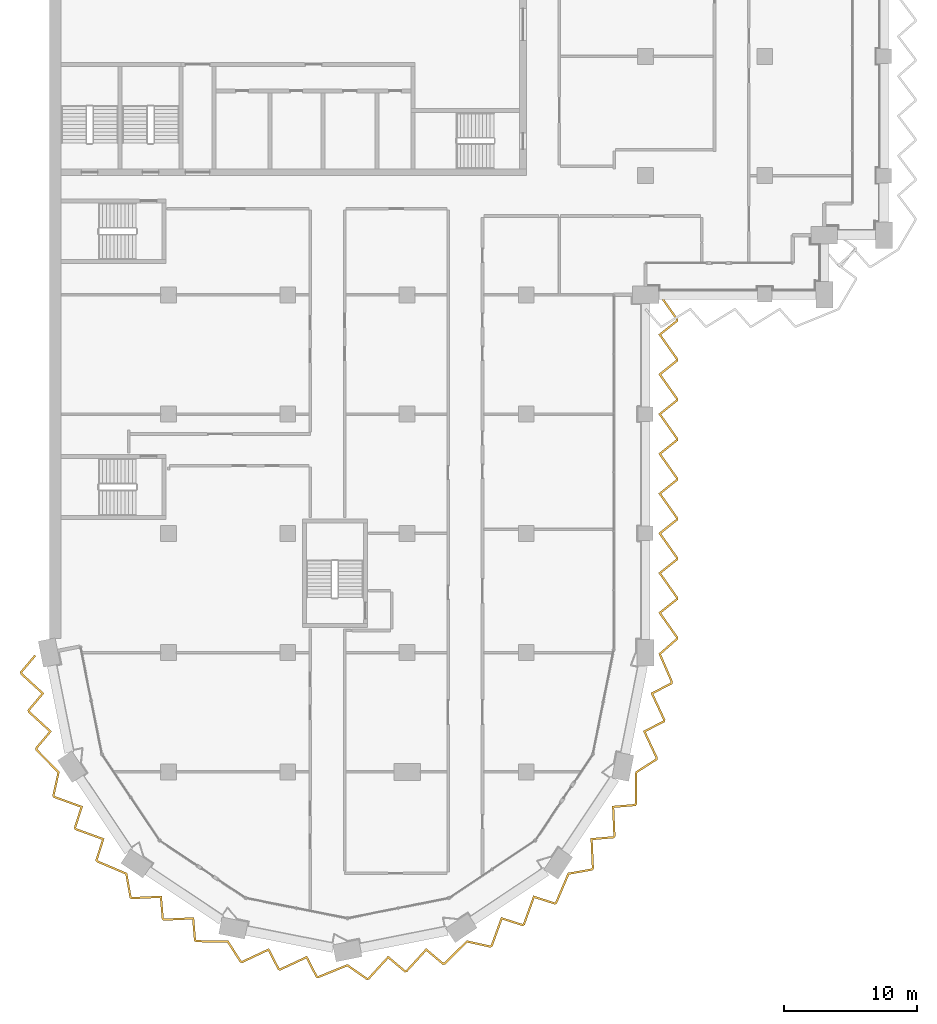
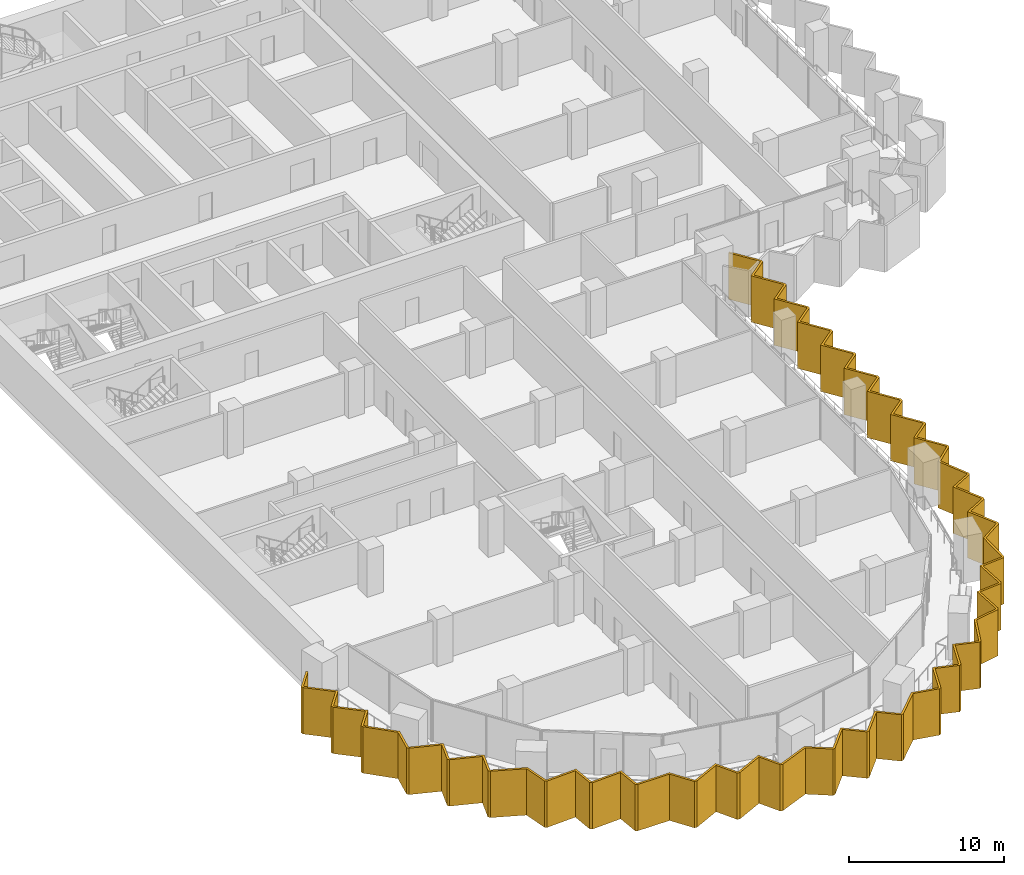
# One storey, part 19 of 23: 1 shading device.
"""IFC4 building model written with IfcOpenShell, lengths in metres."""

from ifc_helpers import new_model, si_unit, direction, frame, origin, place, context, subcontext, project, spatial, polyline, outline, extrude, material, layer, layer_set, type_object, element, save


model = new_model("IFC4")

# Units and contexts
model_context = context("Model", 3, precision=1e-05, world=origin(), true_north=direction((0.0, 1.0)))
body_context = subcontext(model_context, "Body", "Model", "MODEL_VIEW")
ifc_project = project(units=[si_unit("LENGTHUNIT", "METRE"), si_unit("AREAUNIT", "SQUARE_METRE"), si_unit("VOLUMEUNIT", "CUBIC_METRE"), si_unit("PLANEANGLEUNIT", "RADIAN"), si_unit("MASSUNIT", "GRAM", prefix="KILO")], contexts=[model_context])

# Site, building, storey
site_placement = place(None, origin())
site = spatial("IfcSite", under=ifc_project, at=site_placement, CompositionType="ELEMENT")
building_placement = place(site_placement, origin())
building = spatial("IfcBuilding", under=site, at=building_placement, Name="Hunhe Ridgeline Campus", CompositionType="ELEMENT")
storey_placement = place(building_placement, frame((0.0, 0.0, 148.60009765625)))
storey = spatial("IfcBuildingStorey", under=building, at=storey_placement, Name="L37", CompositionType="ELEMENT", Elevation=148.60009765625)

# Shading device
ifc_material = material(Name="Concrete C50", Category="concrete")
ifc_layer = layer(ifc_material, 0.14990234375)
ifc_layer_set = layer_set([ifc_layer], Name="Sawtooth concrete fin 150 Concrete C50")
shading_device_type = type_object("IfcShadingDeviceType", Name="Sawtooth concrete fin 150 Concrete C50", PredefinedType="USERDEFINED", material=ifc_layer_set)
shading_device_placement = place(storey_placement, frame((0.0, 0.0, -0.9501953125)))
element("IfcShadingDevice", 1, at=shading_device_placement, inside=storey, type_object=shading_device_type, Name="Concrete fin screen 1", ObjectType="FIN", PredefinedType="USERDEFINED", context=body_context, shape_type="SweptSolid", body=[
    extrude(outline(polyline([(-0.9970703125, 26.741943359375), (-1.111572265625, 26.838623046875), (-2.207763671875, 25.54052734375), (-2.17236328125, 25.36328125), (-0.587158203125, 23.91357421875), (-1.63671875, 22.67041015625), (-1.6015625, 22.4931640625), (-0.016357421875, 21.043212890625), (-1.06591796875, 19.80029296875), (-1.031005859375, 19.625244140625), (0.6181640625, 17.946533203125), (0.23388671875, 16.19287109375), (0.33203125, 16.046142578125), (2.351318359375, 15.313232421875), (1.857421875, 13.76318359375), (1.957763671875, 13.613037109375), (3.97705078125, 12.880126953125), (3.483154296875, 11.330078125), (3.582275390625, 11.181640625), (5.748291015625, 10.261962890625), (6.064453125, 8.49462890625), (6.211181640625, 8.396728515625), (8.357421875, 8.492431640625), (8.494140625, 6.871337890625), (8.64453125, 6.770751953125), (10.79052734375, 6.866455078125), (10.927490234375, 5.245361328125), (11.07568359375, 5.146240234375), (13.428955078125, 5.12548828125), (14.397216796875, 3.61376953125), (14.5703125, 3.579345703125), (16.5166015625, 4.489013671875), (17.26318359375, 3.043701171875), (17.4404296875, 3.00830078125), (19.38671875, 3.918212890625), (20.13330078125, 2.47265625), (20.30859375, 2.43798828125), (22.490478515625, 3.319091796875), (23.963623046875, 2.293212890625), (24.13671875, 2.32763671875), (25.58642578125, 3.912841796875), (26.82958984375, 2.86328125), (27.0068359375, 2.8984375), (28.456787109375, 4.483642578125), (29.69970703125, 3.43408203125), (29.874755859375, 3.468994140625), (31.553466796875, 5.1181640625), (33.30712890625, 4.73388671875), (33.453857421875, 4.83203125), (34.186767578125, 6.851318359375), (35.73681640625, 6.357421875), (35.886962890625, 6.457763671875), (36.619873046875, 8.47705078125), (38.169921875, 7.983154296875), (38.318359375, 8.082275390625), (39.238037109375, 10.248291015625), (41.00537109375, 10.564453125), (41.103271484375, 10.711181640625), (41.007568359375, 12.857421875), (42.628662109375, 12.994140625), (42.729248046875, 13.14453125), (42.633544921875, 15.29052734375), (44.254638671875, 15.427490234375), (44.353759765625, 15.57568359375), (44.37451171875, 17.928955078125), (45.88623046875, 18.897216796875), (45.920654296875, 19.0703125), (45.010986328125, 21.0166015625), (46.456298828125, 21.76318359375), (46.49169921875, 21.9404296875), (45.581787109375, 23.88671875), (47.02734375, 24.63330078125), (47.062255859375, 24.8095703125), (46.16552734375, 26.873779296875), (47.449951171875, 28.0029296875), (47.449951171875, 28.1806640625), (46.177001953125, 29.9853515625), (47.449951171875, 31.000732421875), (47.449951171875, 31.1806640625), (46.177001953125, 32.9853515625), (47.449951171875, 34.000732421875), (47.449951171875, 34.1806640625), (46.177001953125, 35.9853515625), (47.449951171875, 37.000732421875), (47.449951171875, 37.1806640625), (46.177001953125, 38.9853515625), (47.449951171875, 40.000732421875), (47.449951171875, 40.1806640625), (46.177001953125, 41.9853515625), (47.449951171875, 43.000732421875), (47.449951171875, 43.1806640625), (46.177001953125, 44.9853515625), (47.449951171875, 46.000732421875), (47.449951171875, 46.1806640625), (46.177001953125, 47.9853515625), (47.449951171875, 49.000732421875), (47.449951171875, 49.1806640625), (46.177001953125, 50.9853515625), (47.449951171875, 52.000732421875), (47.449951171875, 52.1806640625), (46.13623046875, 54.043212890625), (46.013671875, 53.956787109375), (47.300048828125, 52.133056640625), (47.300048828125, 52.072998046875), (45.972900390625, 51.0146484375), (47.300048828125, 49.133056640625), (47.300048828125, 49.072998046875), (45.972900390625, 48.0146484375), (47.300048828125, 46.133056640625), (47.300048828125, 46.072998046875), (45.972900390625, 45.0146484375), (47.300048828125, 43.133056640625), (47.300048828125, 43.072998046875), (45.972900390625, 42.0146484375), (47.300048828125, 40.133056640625), (47.300048828125, 40.072998046875), (45.972900390625, 39.0146484375), (47.300048828125, 37.133056640625), (47.300048828125, 37.072998046875), (45.972900390625, 36.0146484375), (47.300048828125, 34.133056640625), (47.300048828125, 34.072998046875), (45.972900390625, 33.0146484375), (47.300048828125, 31.133056640625), (47.300048828125, 31.072998046875), (45.972900390625, 30.0146484375), (47.300048828125, 28.133056640625), (47.300048828125, 28.07080078125), (45.984375, 26.914306640625), (46.906005859375, 24.792724609375), (46.894287109375, 24.7333984375), (45.385009765625, 23.95361328125), (46.3349609375, 21.921630859375), (46.3232421875, 21.86328125), (44.81396484375, 21.08349609375), (45.763916015625, 19.051513671875), (45.751708984375, 18.9892578125), (44.225341796875, 18.011474609375), (44.2041015625, 15.621826171875), (44.169921875, 15.57080078125), (42.477294921875, 15.427978515625), (42.5771484375, 13.18701171875), (42.544189453125, 13.1376953125), (40.851318359375, 12.99462890625), (40.951416015625, 10.753662109375), (40.916015625, 10.700927734375), (39.1318359375, 10.3818359375), (38.19775390625, 8.18212890625), (38.146728515625, 8.14794921875), (36.528076171875, 8.663818359375), (35.7626953125, 6.55517578125), (35.71337890625, 6.522216796875), (34.094970703125, 7.0380859375), (33.32958984375, 4.929443359375), (33.27685546875, 4.89404296875), (31.506103515625, 5.281982421875), (29.801513671875, 3.607421875), (29.7412109375, 3.59521484375), (28.443359375, 4.691162109375), (26.929443359375, 3.035888671875), (26.87109375, 3.0244140625), (25.5732421875, 4.120361328125), (24.059326171875, 2.465087890625), (23.996826171875, 2.45263671875), (22.509521484375, 3.48876953125), (20.2939453125, 2.59375), (20.2333984375, 2.605712890625), (19.45361328125, 4.114990234375), (17.421630859375, 3.1650390625), (17.36328125, 3.1767578125), (16.58349609375, 4.68603515625), (14.551513671875, 3.736083984375), (14.4892578125, 3.748291015625), (13.511474609375, 5.274658203125), (11.121826171875, 5.2958984375), (11.07080078125, 5.330078125), (10.927978515625, 7.022705078125), (8.68701171875, 6.9228515625), (8.6376953125, 6.955810546875), (8.49462890625, 8.648681640625), (6.253662109375, 8.548583984375), (6.200927734375, 8.583984375), (5.8818359375, 10.3681640625), (3.68212890625, 11.30224609375), (3.64794921875, 11.353271484375), (4.163818359375, 12.971923828125), (2.05517578125, 13.7373046875), (2.022216796875, 13.78662109375), (2.5380859375, 15.405029296875), (0.429443359375, 16.17041015625), (0.39404296875, 16.22314453125), (0.781982421875, 17.993896484375), (-0.892578125, 19.698486328125), (-0.90478515625, 19.7587890625), (0.191162109375, 21.056640625), (-1.464111328125, 22.570556640625), (-1.4755859375, 22.62890625), (-0.379638671875, 23.9267578125), (-2.034912109375, 25.440673828125), (-2.04638671875, 25.4990234375), (-0.9970703125, 26.741943359375)])), origin(), (0.0, 0.0, 1.0), 3.650146484375),
])

save(model, "model.ifc")
